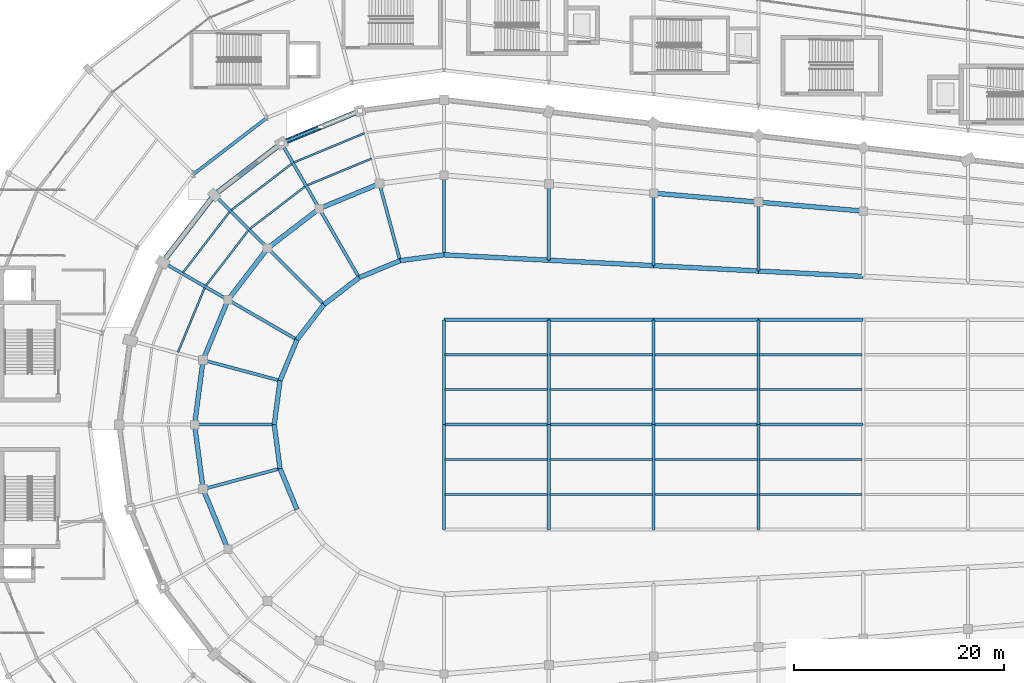
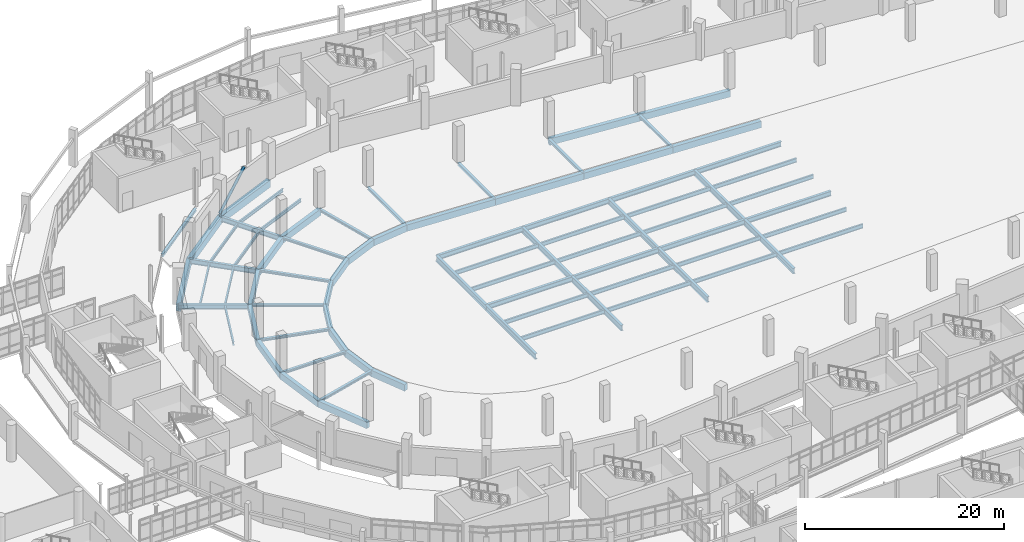
# One storey, part 54 of 122: 78 beams, 1 member.
"""IFC4 building model written with IfcOpenShell, lengths in metres."""

import ifcopenshell
import ifcopenshell.guid

model = None  # the IFC model being written
_history = None  # IfcOwnerHistory: only IFC2X3 demands one
_inside = {}  # id of a spatial element -> (the spatial element, [elements in it])
_under = {}  # id of a project, library or spatial element -> (it, [spatial elements below it])
_declared = {}  # id of a project -> (the project, [libraries it declares])
_typed = {}  # id of a type object -> (the type object, [elements of that type])
_made_of = {}  # id of a material, layer set ... -> (it, [elements and type objects made of it])


def new_model(schema):
    """Start an empty IFC model of exactly this schema.

    Asked for "IFC4X3", IfcOpenShell would pick the latest addendum, in which some entities
    have other attributes; the version numbers below select the first issue.
    IFC2X3 requires an IfcOwnerHistory on every rooted entity: one is made here for all.
    """
    global model, _history
    if schema == "IFC4X3":
        model = ifcopenshell.file(schema_version=(4, 3, 0, 0))
    else:
        model = ifcopenshell.file(schema=schema)
    _inside.clear()
    _under.clear()
    _declared.clear()
    _typed.clear()
    _made_of.clear()
    _history = None
    if model.schema == "IFC2X3":
        org = make("IfcOrganization", Name="unknown")
        user = make(
            "IfcPersonAndOrganization",
            ThePerson=make("IfcPerson", FamilyName="unknown"),
            TheOrganization=org,
        )
        app = make(
            "IfcApplication",
            ApplicationDeveloper=org,
            Version="unknown",
            ApplicationFullName="unknown",
            ApplicationIdentifier="unknown",
        )
        _history = make(
            "IfcOwnerHistory",
            OwningUser=user,
            OwningApplication=app,
            ChangeAction="ADDED",
            CreationDate=0,
        )
    return model


def make(cls, **values):
    """One entity of the class cls with the attributes given. An attribute that is None is left unset."""
    return model.create_entity(
        cls, **{name: value for name, value in values.items() if value is not None}
    )


def rooted(cls, **values):
    """An entity with a GlobalId (a new one), such as an element, a storey or a relation."""
    return make(cls, GlobalId=ifcopenshell.guid.new(), OwnerHistory=_history, **values)


def si_unit(unit_type, name, prefix=None):
    """IfcSIUnit, for example si_unit("LENGTHUNIT", "METRE", prefix="MILLI")."""
    return make("IfcSIUnit", UnitType=unit_type, Prefix=prefix, Name=name)


def assignment(units):
    """IfcUnitAssignment: the units of a project."""
    return None if units is None else make("IfcUnitAssignment", Units=units)


def point(xyz):
    """IfcCartesianPoint."""
    return None if xyz is None else make("IfcCartesianPoint", Coordinates=xyz)


def direction(xyz):
    """IfcDirection."""
    return None if xyz is None else make("IfcDirection", DirectionRatios=xyz)


def frame(location, z_axis=None, x_axis=None):
    """IfcAxis2Placement3D, a coordinate frame: its origin and axes. An axis left out is left unset."""
    return make(
        "IfcAxis2Placement3D",
        Location=point(location),
        Axis=direction(z_axis),
        RefDirection=direction(x_axis),
    )


def frame_2d(location, x_axis=None):
    """IfcAxis2Placement2D, a coordinate frame in the plane: its origin and x axis."""
    return make(
        "IfcAxis2Placement2D", Location=point(location), RefDirection=direction(x_axis)
    )


def origin():
    """The frame at (0, 0, 0) with its axes left unset."""
    return frame((0.0, 0.0, 0.0))


def origin_2d():
    """The frame at (0, 0) in the plane with its x axis left unset."""
    return frame_2d((0.0, 0.0))


def place(relative_to, where):
    """IfcLocalPlacement: puts the frame where relative to a parent placement (None: the world)."""
    return make(
        "IfcLocalPlacement", PlacementRelTo=relative_to, RelativePlacement=where
    )


def context(
    kind, dimensions, precision=None, world=None, true_north=None, identifier=None
):
    """IfcGeometricRepresentationContext, for example the 3D "Model" context."""
    return make(
        "IfcGeometricRepresentationContext",
        ContextIdentifier=identifier,
        ContextType=kind,
        CoordinateSpaceDimension=dimensions,
        Precision=precision,
        WorldCoordinateSystem=world,
        TrueNorth=true_north,
    )


def subcontext(parent, identifier, kind, view, scale=None):
    """IfcGeometricRepresentationSubContext, for example "Body" below "Model"."""
    return make(
        "IfcGeometricRepresentationSubContext",
        ContextIdentifier=identifier,
        ContextType=kind,
        ParentContext=parent,
        TargetScale=scale,
        TargetView=view,
    )


def project(units=None, contexts=None):
    """IfcProject with its units and contexts."""
    return rooted(
        "IfcProject",
        Name="project",
        RepresentationContexts=contexts,
        UnitsInContext=assignment(units),
    )


def spatial(cls, under=None, at=None, **own):
    """A site, building, storey or space (cls), placed at a placement, below another one or the project."""
    s = rooted(cls, ObjectPlacement=at, **own)
    if under is not None:
        _under.setdefault(under.id(), (under, []))[1].append(s)
    return s


def profile(cls, at=None, kind="AREA", **sizes):
    """A parametric profile (cls). Its sizes go by their IFC names, for example OverallWidth=200.0."""
    return make(cls, ProfileType=kind, Position=at, **sizes)


def rectangle(**sizes):
    """IfcRectangleProfileDef."""
    return profile("IfcRectangleProfileDef", **sizes)


def hollow_circle(**sizes):
    """IfcCircleHollowProfileDef."""
    return profile("IfcCircleHollowProfileDef", **sizes)


def i_section(**sizes):
    """IfcIShapeProfileDef."""
    return profile("IfcIShapeProfileDef", **sizes)


def extrude(swept, where, along, depth):
    """IfcExtrudedAreaSolid: the profile swept, set in the frame where, extruded along a direction by depth."""
    return make(
        "IfcExtrudedAreaSolid",
        SweptArea=swept,
        Position=where,
        ExtrudedDirection=direction(along),
        Depth=depth,
    )


def shape(context_of_items, identifier, shape_type, items):
    """IfcShapeRepresentation: the items that make up one representation, for example the "Body"."""
    return make(
        "IfcShapeRepresentation",
        ContextOfItems=context_of_items,
        RepresentationIdentifier=identifier,
        RepresentationType=shape_type,
        Items=items,
    )


def material(Name=None, Category=None):
    """IfcMaterial."""
    return make("IfcMaterial", Name=Name, Category=Category)


def material_profile(
    of_material, cross_section, Name=None, Category=None, Priority=None
):
    """IfcMaterialProfile: a cross section and its material."""
    return make(
        "IfcMaterialProfile",
        Name=Name,
        Material=of_material,
        Profile=cross_section,
        Priority=Priority,
        Category=Category,
    )


def profile_set(profiles, Name=None, composite=None):
    """IfcMaterialProfileSet."""
    return make(
        "IfcMaterialProfileSet",
        Name=Name,
        MaterialProfiles=profiles,
        CompositeProfile=composite,
    )


def made_of(thing, what):
    """Note that an element or type object is made of a material, layer set ...; save() writes the relation."""
    if what is not None:
        _made_of.setdefault(what.id(), (what, []))[1].append(thing)
    return thing


def type_object(cls, material=None, **own):
    """A type object (cls), such as IfcWallType, which elements share."""
    return made_of(rooted(cls, **own), material)


def element(
    cls,
    number,
    at=None,
    inside=None,
    cuts=None,
    type_object=None,
    material=None,
    context=None,
    identifier="Body",
    shape_type=None,
    held_by="IfcProductDefinitionShape",
    body=None,
    shapes=None,
    **own,
):
    """One element of the class cls, such as IfcWall. Its Tag is "e" and its number.

    at: its placement. inside: the storey or other place that contains it. cuts: it is an
    opening in that element (IfcRelVoidsElement). A single representation is given by context,
    identifier, shape_type and body (its items); several are given by shapes. held_by: the class
    of the entity that holds the representations. save() writes the other relations.
    """
    e = rooted(cls, Tag="e%d" % number, ObjectPlacement=at, **own)
    if body is not None:
        shapes = [shape(context, identifier, shape_type, body)]
    if shapes is not None:
        e.Representation = make(held_by, Representations=shapes)
    if inside is not None:
        _inside.setdefault(inside.id(), (inside, []))[1].append(e)
    if cuts is not None:
        rooted(
            "IfcRelVoidsElement", RelatingBuildingElement=cuts, RelatedOpeningElement=e
        )
    if type_object is not None:
        _typed.setdefault(type_object.id(), (type_object, []))[1].append(e)
    return made_of(e, material)


def aggregate(whole, parts):
    """IfcRelAggregates: a whole, such as a stair, and the parts it consists of."""
    return rooted("IfcRelAggregates", RelatingObject=whole, RelatedObjects=parts)


def save(model, path):
    """Write the relations noted so far, then the file.

    IfcRelAggregates (storeys below a building ...), IfcRelContainedInSpatialStructure (elements
    in a storey), IfcRelDefinesByType, IfcRelAssociatesMaterial and IfcRelDeclares: one each for
    every whole, place, type object, material and project.
    """
    for whole, parts in _under.values():
        aggregate(whole, parts)
    for where, things in _inside.values():
        rooted(
            "IfcRelContainedInSpatialStructure",
            RelatedElements=things,
            RelatingStructure=where,
        )
    for kind, things in _typed.values():
        rooted("IfcRelDefinesByType", RelatedObjects=things, RelatingType=kind)
    for what, things in _made_of.values():
        rooted("IfcRelAssociatesMaterial", RelatedObjects=things, RelatingMaterial=what)
    for by, libraries in _declared.values():
        rooted("IfcRelDeclares", RelatingContext=by, RelatedDefinitions=libraries)
    model.write(path)


model = new_model("IFC4")

# Units and contexts
model_context = context("Model", 3, precision=1e-05, world=origin(), true_north=direction((0.0, 1.0)))
body_context = subcontext(model_context, "Body", "Model", "MODEL_VIEW")
ifc_project = project(units=[si_unit("LENGTHUNIT", "METRE"), si_unit("AREAUNIT", "SQUARE_METRE"), si_unit("VOLUMEUNIT", "CUBIC_METRE"), si_unit("PLANEANGLEUNIT", "RADIAN"), si_unit("MASSUNIT", "GRAM", prefix="KILO")], contexts=[model_context])

# Site, building, storey
site_placement = place(None, origin())
site = spatial("IfcSite", under=ifc_project, at=site_placement, CompositionType="ELEMENT")
building_placement = place(site_placement, origin())
building = spatial("IfcBuilding", under=site, at=building_placement, Name="Sohan Crest Arena", CompositionType="ELEMENT")
storey_placement = place(building_placement, origin())
storey = spatial("IfcBuildingStorey", under=building, at=storey_placement, Name="L00", CompositionType="ELEMENT", Elevation=0.0)

# Beams
ifc_material_1 = material(Name="Steel S355", Category="steel")
ifc_material_profile_1 = material_profile(ifc_material_1, i_section(OverallWidth=0.179931640625, OverallDepth=0.39990234375, WebThickness=0.008544921875, FlangeThickness=0.013427734375, at=origin_2d()), Name="IPE 400")
ifc_profile_set_1 = profile_set([ifc_material_profile_1], Name="Steel S355")
beam_type_1 = type_object("IfcBeamType", Name="STR-BM-B03", PredefinedType="JOIST", material=ifc_profile_set_1)
beam_1_placement = place(storey_placement, frame((91.0859375, 103.381103515625, -0.449951171875), z_axis=(-0.923867831396, -0.382711680136, 0.0), x_axis=(0.382711680136, -0.923867831396, 0.0)))
element("IfcBeam", 1, at=beam_1_placement, inside=storey, type_object=beam_type_1, Name="Structural beam J-L00-0084", PredefinedType="JOIST", context=body_context, shape_type="SweptSolid", body=[
    extrude(i_section(OverallWidth=0.179931640625, OverallDepth=0.39990234375, WebThickness=0.008544921875, FlangeThickness=0.013427734375, at=origin_2d()), origin(), (0.0, 0.0, 1.0), 6.650390625),
])
beam_2_placement = place(storey_placement, frame((90.43408203125, 105.81591796875, -0.449951171875), z_axis=(-0.923831158032, -0.382800197818, 0.0), x_axis=(0.382800197818, -0.923831158032, 0.0)))
element("IfcBeam", 2, at=beam_2_placement, inside=storey, type_object=beam_type_1, Name="Structural beam J-L00-0085", PredefinedType="JOIST", context=body_context, shape_type="SweptSolid", body=[
    extrude(i_section(OverallWidth=0.179931640625, OverallDepth=0.39990234375, WebThickness=0.008544921875, FlangeThickness=0.013427734375, at=origin_2d()), origin(), (0.0, 0.0, 1.0), 7.308837890625),
])
beam_3_placement = place(storey_placement, frame((84.7529296875, 100.72705078125, -0.449951171875), z_axis=(-0.793353438114, -0.608761301523, 0.0), x_axis=(0.608761301523, -0.793353438114, 0.0)))
element("IfcBeam", 3, at=beam_3_placement, inside=storey, type_object=beam_type_1, Name="Structural beam J-L00-0106", PredefinedType="JOIST", context=body_context, shape_type="SweptSolid", body=[
    extrude(i_section(OverallWidth=0.179931640625, OverallDepth=0.39990234375, WebThickness=0.008544921875, FlangeThickness=0.013427734375, at=origin_2d()), origin(), (0.0, 0.0, 1.0), 6.6513671875),
])
beam_4_placement = place(storey_placement, frame((83.492919921875, 102.908935546875, -0.449951171875), z_axis=(-0.793394486436, -0.608707802556, 0.0), x_axis=(0.608707802556, -0.793394486436, 0.0)))
element("IfcBeam", 4, at=beam_4_placement, inside=storey, type_object=beam_type_1, Name="Structural beam J-L00-0107", PredefinedType="JOIST", context=body_context, shape_type="SweptSolid", body=[
    extrude(i_section(OverallWidth=0.179931640625, OverallDepth=0.39990234375, WebThickness=0.008544921875, FlangeThickness=0.013427734375, at=origin_2d()), origin(), (0.0, 0.0, 1.0), 7.308837890625),
])
beam_5_placement = place(storey_placement, frame((79.322021484375, 96.52392578125, -0.449951171875), z_axis=(-0.608761301523, -0.793353438114, 0.0), x_axis=(0.793353438114, -0.608761301523, 0.0)))
element("IfcBeam", 5, at=beam_5_placement, inside=storey, type_object=beam_type_1, Name="Structural beam J-L00-0128", PredefinedType="JOIST", context=body_context, shape_type="SweptSolid", body=[
    extrude(i_section(OverallWidth=0.179931640625, OverallDepth=0.39990234375, WebThickness=0.008544921875, FlangeThickness=0.013427734375, at=origin_2d()), origin(), (0.0, 0.0, 1.0), 6.6513671875),
])
beam_6_placement = place(storey_placement, frame((77.5400390625, 98.305908203125, -0.449951171875), z_axis=(-0.608707802556, -0.793394486436, 0.0), x_axis=(0.793394486436, -0.608707802556, 0.0)))
element("IfcBeam", 6, at=beam_6_placement, inside=storey, type_object=beam_type_1, Name="Structural beam J-L00-0129", PredefinedType="JOIST", context=body_context, shape_type="SweptSolid", body=[
    extrude(i_section(OverallWidth=0.179931640625, OverallDepth=0.39990234375, WebThickness=0.008544921875, FlangeThickness=0.013427734375, at=origin_2d()), origin(), (0.0, 0.0, 1.0), 7.308837890625),
])
beam_7_placement = place(storey_placement, frame((75.1640625, 91.05810546875, -0.449951171875), z_axis=(-0.382711680136, -0.923867831396, 0.0), x_axis=(0.923867831396, -0.382711680136, 0.0)))
element("IfcBeam", 7, at=beam_7_placement, inside=storey, type_object=beam_type_1, Name="Structural beam J-L00-0150", PredefinedType="JOIST", context=body_context, shape_type="SweptSolid", body=[
    extrude(i_section(OverallWidth=0.179931640625, OverallDepth=0.39990234375, WebThickness=0.008544921875, FlangeThickness=0.013427734375, at=origin_2d()), origin(), (0.0, 0.0, 1.0), 6.650390625),
])
ifc_material_profile_2 = material_profile(ifc_material_1, i_section(OverallWidth=0.199951171875, OverallDepth=0.5, WebThickness=0.01025390625, FlangeThickness=0.01611328125, at=origin_2d()), Name="IPE 500")
ifc_profile_set_2 = profile_set([ifc_material_profile_2], Name="Steel S355")
beam_type_2 = type_object("IfcBeamType", Name="STR-BM-B05", PredefinedType="JOIST", material=ifc_profile_set_2)
for number, where, z_axis, x_axis, name in (
    (8, (98.110107421875, 71.3330078125, -0.550048828125), (1.0, 0.0, 0.0), (0.0, 1.0, 0.0), "Structural beam J-L00-0033"),
    (9, (98.110107421875, 74.6669921875, -0.550048828125), (1.0, 0.0, 0.0), (0.0, 1.0, 0.0), "Structural beam J-L00-0034"),
    (10, (98.110107421875, 81.3330078125, -0.550048828125), (1.0, 0.0, 0.0), (0.0, 1.0, 0.0), "Structural beam J-L00-0035"),
    (11, (98.110107421875, 84.6669921875, -0.550048828125), (1.0, 0.0, 0.0), (0.0, 1.0, 0.0), "Structural beam J-L00-0036"),
    (12, (108.110107421875, 71.3330078125, -0.550048828125), (1.0, 0.0, 0.0), (0.0, 1.0, 0.0), "Structural beam J-L00-0037"),
    (13, (108.110107421875, 74.6669921875, -0.550048828125), (1.0, 0.0, 0.0), (0.0, 1.0, 0.0), "Structural beam J-L00-0038"),
    (14, (108.110107421875, 81.3330078125, -0.550048828125), (1.0, 0.0, 0.0), (0.0, 1.0, 0.0), "Structural beam J-L00-0039"),
    (15, (108.110107421875, 84.6669921875, -0.550048828125), (1.0, 0.0, 0.0), (0.0, 1.0, 0.0), "Structural beam J-L00-0040"),
    (16, (118.110107421875, 71.3330078125, -0.550048828125), (1.0, 0.0, 0.0), (0.0, 1.0, 0.0), "Structural beam J-L00-0041"),
    (17, (118.110107421875, 74.6669921875, -0.550048828125), (1.0, 0.0, 0.0), (0.0, 1.0, 0.0), "Structural beam J-L00-0042"),
    (18, (118.110107421875, 81.3330078125, -0.550048828125), (1.0, 0.0, 0.0), (0.0, 1.0, 0.0), "Structural beam J-L00-0043"),
    (19, (118.110107421875, 84.6669921875, -0.550048828125), (1.0, 0.0, 0.0), (0.0, 1.0, 0.0), "Structural beam J-L00-0044"),
    (20, (128.110107421875, 71.3330078125, -0.550048828125), (1.0, 0.0, 0.0), (0.0, 1.0, 0.0), "Structural beam J-L00-0045"),
    (21, (128.110107421875, 74.6669921875, -0.550048828125), (1.0, 0.0, 0.0), (0.0, 1.0, 0.0), "Structural beam J-L00-0046"),
    (22, (128.110107421875, 81.3330078125, -0.550048828125), (1.0, 0.0, 0.0), (0.0, 1.0, 0.0), "Structural beam J-L00-0047"),
    (23, (128.110107421875, 84.6669921875, -0.550048828125), (1.0, 0.0, 0.0), (0.0, 1.0, 0.0), "Structural beam J-L00-0048"),
):
    element("IfcBeam", number, at=place(storey_placement, frame(where, z_axis=z_axis, x_axis=x_axis)), inside=storey, type_object=beam_type_2, Name=name, PredefinedType="JOIST", context=body_context, shape_type="SweptSolid", body=[
        extrude(i_section(OverallWidth=0.199951171875, OverallDepth=0.5, WebThickness=0.01025390625, FlangeThickness=0.01611328125, at=origin_2d()), origin(), (0.0, 0.0, 1.0), 9.77978515625),
    ])
ifc_material_profile_3 = material_profile(ifc_material_1, i_section(OverallWidth=0.300048828125, OverallDepth=0.590087890625, WebThickness=0.012939453125, FlangeThickness=0.02490234375, at=origin_2d()), Name="HEA 600")
ifc_profile_set_3 = profile_set([ifc_material_profile_3], Name="Steel S355")
beam_type_3 = type_object("IfcBeamType", Name="STR-BM-B11", PredefinedType="BEAM", material=ifc_profile_set_3)
beam_8_placement = place(storey_placement, frame((86.10009765625, 98.611083984375, -0.544921875), z_axis=(-0.499982693035, 0.866035395735, 0.0), x_axis=(-0.866035395735, -0.499982693035, 0.0)))
element("IfcBeam", 24, at=beam_8_placement, inside=storey, type_object=beam_type_3, Name="Structural beam G-L00-0105", PredefinedType="BEAM", context=body_context, shape_type="SweptSolid", body=[
    extrude(i_section(OverallWidth=0.300048828125, OverallDepth=0.590087890625, WebThickness=0.012939453125, FlangeThickness=0.02490234375, at=origin_2d()), origin(), (0.0, 0.0, 1.0), 7.200439453125),
])
beam_9_placement = place(storey_placement, frame((81.1708984375, 94.8291015625, -0.544921875), z_axis=(-0.707106781187, 0.707106781187, 0.0), x_axis=(-0.707106781187, -0.707106781187, 0.0)))
element("IfcBeam", 25, at=beam_9_placement, inside=storey, type_object=beam_type_3, Name="Structural beam G-L00-0127", PredefinedType="BEAM", context=body_context, shape_type="SweptSolid", body=[
    extrude(i_section(OverallWidth=0.300048828125, OverallDepth=0.590087890625, WebThickness=0.012939453125, FlangeThickness=0.02490234375, at=origin_2d()), origin(), (0.0, 0.0, 1.0), 7.199462890625),
])
beam_10_placement = place(storey_placement, frame((77.388916015625, 89.89990234375, -0.544921875), z_axis=(-0.866035395735, 0.499982693035, 0.0), x_axis=(-0.499982693035, -0.866035395735, 0.0)))
element("IfcBeam", 26, at=beam_10_placement, inside=storey, type_object=beam_type_3, Name="Structural beam G-L00-0149", PredefinedType="BEAM", context=body_context, shape_type="SweptSolid", body=[
    extrude(i_section(OverallWidth=0.300048828125, OverallDepth=0.590087890625, WebThickness=0.012939453125, FlangeThickness=0.02490234375, at=origin_2d()), origin(), (0.0, 0.0, 1.0), 7.200439453125),
])
ifc_material_profile_4 = material_profile(ifc_material_1, i_section(OverallWidth=0.300048828125, OverallDepth=0.300048828125, WebThickness=0.010986328125, FlangeThickness=0.01904296875, at=origin_2d()), Name="HEB 300")
ifc_profile_set_4 = profile_set([ifc_material_profile_4], Name="Steel S355")
beam_type_4 = type_object("IfcBeamType", Name="STR-BM-B12", PredefinedType="BEAM", material=ifc_profile_set_4)
beam_11_placement = place(storey_placement, frame((98.0, 94.199951171875, -0.39990234375), z_axis=(0.0, 1.0, 0.0), x_axis=(-1.0, 0.0, 0.0)))
element("IfcBeam", 27, at=beam_11_placement, inside=storey, type_object=beam_type_4, Name="Structural beam G-L00-0058", PredefinedType="BEAM", context=body_context, shape_type="SweptSolid", body=[
    extrude(i_section(OverallWidth=0.300048828125, OverallDepth=0.300048828125, WebThickness=0.010986328125, FlangeThickness=0.01904296875, at=origin_2d()), origin(), (0.0, 0.0, 1.0), 7.60009765625),
])
beam_12_placement = place(storey_placement, frame((93.806884765625, 93.64794921875, -0.39990234375), z_axis=(-0.258790143963, 0.965933569863, 0.0), x_axis=(-0.965933569863, -0.258790143963, 0.0)))
element("IfcBeam", 28, at=beam_12_placement, inside=storey, type_object=beam_type_4, Name="Structural beam G-L00-0080", PredefinedType="BEAM", context=body_context, shape_type="SweptSolid", body=[
    extrude(i_section(OverallWidth=0.300048828125, OverallDepth=0.300048828125, WebThickness=0.010986328125, FlangeThickness=0.01904296875, at=origin_2d()), origin(), (0.0, 0.0, 1.0), 7.599853515625),
])
beam_13_placement = place(storey_placement, frame((89.89990234375, 92.030029296875, -0.39990234375), z_axis=(-0.500022797313, 0.86601224135, 0.0), x_axis=(-0.86601224135, -0.500022797313, 0.0)))
element("IfcBeam", 29, at=beam_13_placement, inside=storey, type_object=beam_type_4, Name="Structural beam G-L00-0102", PredefinedType="BEAM", context=body_context, shape_type="SweptSolid", body=[
    extrude(i_section(OverallWidth=0.300048828125, OverallDepth=0.300048828125, WebThickness=0.010986328125, FlangeThickness=0.01904296875, at=origin_2d()), origin(), (0.0, 0.0, 1.0), 7.599365234375),
])
beam_14_placement = place(storey_placement, frame((86.544921875, 89.455078125, -0.39990234375), z_axis=(-0.707106781187, 0.707106781187, 0.0), x_axis=(-0.707106781187, -0.707106781187, 0.0)))
element("IfcBeam", 30, at=beam_14_placement, inside=storey, type_object=beam_type_4, Name="Structural beam G-L00-0124", PredefinedType="BEAM", context=body_context, shape_type="SweptSolid", body=[
    extrude(i_section(OverallWidth=0.300048828125, OverallDepth=0.300048828125, WebThickness=0.010986328125, FlangeThickness=0.01904296875, at=origin_2d()), origin(), (0.0, 0.0, 1.0), 7.60009765625),
])
beam_15_placement = place(storey_placement, frame((83.969970703125, 86.10009765625, -0.39990234375), z_axis=(-0.86601224135, 0.500022797313, 0.0), x_axis=(-0.500022797313, -0.86601224135, 0.0)))
element("IfcBeam", 31, at=beam_15_placement, inside=storey, type_object=beam_type_4, Name="Structural beam G-L00-0146", PredefinedType="BEAM", context=body_context, shape_type="SweptSolid", body=[
    extrude(i_section(OverallWidth=0.300048828125, OverallDepth=0.300048828125, WebThickness=0.010986328125, FlangeThickness=0.01904296875, at=origin_2d()), origin(), (0.0, 0.0, 1.0), 7.599365234375),
])
beam_16_placement = place(storey_placement, frame((82.35205078125, 82.193115234375, -0.39990234375), z_axis=(-0.965933569863, 0.258790143963, 0.0), x_axis=(-0.258790143963, -0.965933569863, 0.0)))
element("IfcBeam", 32, at=beam_16_placement, inside=storey, type_object=beam_type_4, Name="Structural beam G-L00-0168", PredefinedType="BEAM", context=body_context, shape_type="SweptSolid", body=[
    extrude(i_section(OverallWidth=0.300048828125, OverallDepth=0.300048828125, WebThickness=0.010986328125, FlangeThickness=0.01904296875, at=origin_2d()), origin(), (0.0, 0.0, 1.0), 7.599853515625),
])
beam_17_placement = place(storey_placement, frame((81.800048828125, 78.0, -0.39990234375), z_axis=(-1.0, 0.0, 0.0), x_axis=(0.0, -1.0, 0.0)))
element("IfcBeam", 33, at=beam_17_placement, inside=storey, type_object=beam_type_4, Name="Structural beam G-L00-0190", PredefinedType="BEAM", context=body_context, shape_type="SweptSolid", body=[
    extrude(i_section(OverallWidth=0.300048828125, OverallDepth=0.300048828125, WebThickness=0.010986328125, FlangeThickness=0.01904296875, at=origin_2d()), origin(), (0.0, 0.0, 1.0), 7.60009765625),
])
beam_18_placement = place(storey_placement, frame((82.35205078125, 73.806884765625, -0.39990234375), z_axis=(-0.965933569863, -0.258790143963, 0.0), x_axis=(0.258790143963, -0.965933569863, 0.0)))
element("IfcBeam", 34, at=beam_18_placement, inside=storey, type_object=beam_type_4, Name="Structural beam G-L00-0212", PredefinedType="BEAM", context=body_context, shape_type="SweptSolid", body=[
    extrude(i_section(OverallWidth=0.300048828125, OverallDepth=0.300048828125, WebThickness=0.010986328125, FlangeThickness=0.01904296875, at=origin_2d()), origin(), (0.0, 0.0, 1.0), 7.599853515625),
])
beam_19_placement = place(storey_placement, frame((128.0, 92.656982421875, -0.39990234375), z_axis=(0.0, 1.0, 0.0), x_axis=(-1.0, 0.0, 0.0)))
element("IfcBeam", 35, at=beam_19_placement, inside=storey, type_object=beam_type_4, Name="Structural beam G-L00-0746", PredefinedType="BEAM", context=body_context, shape_type="SweptSolid", body=[
    extrude(i_section(OverallWidth=0.300048828125, OverallDepth=0.300048828125, WebThickness=0.010986328125, FlangeThickness=0.01904296875, at=origin_2d()), origin(), (0.0, 0.0, 1.0), 6.572021484375),
])
beam_20_placement = place(storey_placement, frame((118.0, 93.1708984375, -0.39990234375), z_axis=(0.0, 1.0, 0.0), x_axis=(-1.0, 0.0, 0.0)))
element("IfcBeam", 36, at=beam_20_placement, inside=storey, type_object=beam_type_4, Name="Structural beam G-L00-0768", PredefinedType="BEAM", context=body_context, shape_type="SweptSolid", body=[
    extrude(i_section(OverallWidth=0.300048828125, OverallDepth=0.300048828125, WebThickness=0.010986328125, FlangeThickness=0.01904296875, at=origin_2d()), origin(), (0.0, 0.0, 1.0), 6.9150390625),
])
beam_21_placement = place(storey_placement, frame((108.0, 93.68603515625, -0.39990234375), z_axis=(0.0, 1.0, 0.0), x_axis=(-1.0, 0.0, 0.0)))
element("IfcBeam", 37, at=beam_21_placement, inside=storey, type_object=beam_type_4, Name="Structural beam G-L00-0790", PredefinedType="BEAM", context=body_context, shape_type="SweptSolid", body=[
    extrude(i_section(OverallWidth=0.300048828125, OverallDepth=0.300048828125, WebThickness=0.010986328125, FlangeThickness=0.01904296875, at=origin_2d()), origin(), (0.0, 0.0, 1.0), 7.257080078125),
])
beam_22_placement = place(storey_placement, frame((81.10009765625, 107.27197265625, -0.425048828125), z_axis=(-0.793310569192, -0.608817165336, 0.0), x_axis=(0.608817165336, -0.793310569192, 0.0)))
element("IfcBeam", 38, at=beam_22_placement, inside=storey, type_object=beam_type_4, Name="Structural beam G-L00-0913", PredefinedType="BEAM", context=body_context, shape_type="SweptSolid", body=[
    extrude(i_section(OverallWidth=0.300048828125, OverallDepth=0.300048828125, WebThickness=0.010986328125, FlangeThickness=0.01904296875, at=origin_2d()), origin(), (0.0, 0.0, 1.0), 8.82373046875),
])
ifc_material_profile_5 = material_profile(ifc_material_1, i_section(OverallWidth=0.300048828125, OverallDepth=0.60009765625, WebThickness=0.015380859375, FlangeThickness=0.030029296875, at=origin_2d()), Name="HEB 600")
ifc_profile_set_5 = profile_set([ifc_material_profile_5], Name="Steel S355")
beam_type_5 = type_object("IfcBeamType", Name="STR-BM-B15", PredefinedType="BEAM", material=ifc_profile_set_5)
for number, where, z_axis, x_axis, name in (
    (39, (98.0, 78.0, -0.60009765625), (1.0, 0.0, 0.0), (0.0, 1.0, 0.0), "Structural beam G-L00-0021"),
    (40, (108.0, 78.0, -0.60009765625), (1.0, 0.0, 0.0), (0.0, 1.0, 0.0), "Structural beam G-L00-0022"),
    (41, (118.0, 78.0, -0.60009765625), (1.0, 0.0, 0.0), (0.0, 1.0, 0.0), "Structural beam G-L00-0023"),
    (42, (128.0, 78.0, -0.60009765625), (1.0, 0.0, 0.0), (0.0, 1.0, 0.0), "Structural beam G-L00-0024"),
    (43, (98.0, 88.0, -0.60009765625), (1.0, 0.0, 0.0), (0.0, 1.0, 0.0), "Structural beam G-L00-0027"),
    (44, (108.0, 88.0, -0.60009765625), (1.0, 0.0, 0.0), (0.0, 1.0, 0.0), "Structural beam G-L00-0028"),
    (45, (118.0, 88.0, -0.60009765625), (1.0, 0.0, 0.0), (0.0, 1.0, 0.0), "Structural beam G-L00-0029"),
    (46, (128.0, 88.0, -0.60009765625), (1.0, 0.0, 0.0), (0.0, 1.0, 0.0), "Structural beam G-L00-0030"),
):
    element("IfcBeam", number, at=place(storey_placement, frame(where, z_axis=z_axis, x_axis=x_axis)), inside=storey, type_object=beam_type_5, Name=name, PredefinedType="BEAM", context=body_context, shape_type="SweptSolid", body=[
        extrude(i_section(OverallWidth=0.300048828125, OverallDepth=0.60009765625, WebThickness=0.015380859375, FlangeThickness=0.030029296875, at=origin_2d()), origin(), (0.0, 0.0, 1.0), 10.0),
    ])
ifc_material_profile_6 = material_profile(ifc_material_1, i_section(OverallWidth=0.300048828125, OverallDepth=0.699951171875, WebThickness=0.01708984375, FlangeThickness=0.031982421875, at=origin_2d()), Name="HEB 700")
ifc_profile_set_6 = profile_set([ifc_material_profile_6], Name="Steel S355")
beam_type_6 = type_object("IfcBeamType", Name="STR-BM-B16", PredefinedType="BEAM", material=ifc_profile_set_6)
for number, where, z_axis, x_axis, name in (
    (47, (98.0, 68.0, -0.64990234375), (0.0, 1.0, 0.0), (-1.0, 0.0, 0.0), "Structural beam G-L00-0001"),
    (48, (98.0, 78.0, -0.64990234375), (0.0, 1.0, 0.0), (-1.0, 0.0, 0.0), "Structural beam G-L00-0002"),
    (49, (108.0, 68.0, -0.64990234375), (0.0, 1.0, 0.0), (-1.0, 0.0, 0.0), "Structural beam G-L00-0003"),
    (50, (108.0, 78.0, -0.64990234375), (0.0, 1.0, 0.0), (-1.0, 0.0, 0.0), "Structural beam G-L00-0004"),
    (51, (118.0, 68.0, -0.64990234375), (0.0, 1.0, 0.0), (-1.0, 0.0, 0.0), "Structural beam G-L00-0005"),
    (52, (118.0, 78.0, -0.64990234375), (0.0, 1.0, 0.0), (-1.0, 0.0, 0.0), "Structural beam G-L00-0006"),
    (53, (128.0, 68.0, -0.64990234375), (0.0, 1.0, 0.0), (-1.0, 0.0, 0.0), "Structural beam G-L00-0007"),
    (54, (128.0, 78.0, -0.64990234375), (0.0, 1.0, 0.0), (-1.0, 0.0, 0.0), "Structural beam G-L00-0008"),
):
    element("IfcBeam", number, at=place(storey_placement, frame(where, z_axis=z_axis, x_axis=x_axis)), inside=storey, type_object=beam_type_6, Name=name, PredefinedType="BEAM", context=body_context, shape_type="SweptSolid", body=[
        extrude(i_section(OverallWidth=0.300048828125, OverallDepth=0.699951171875, WebThickness=0.01708984375, FlangeThickness=0.031982421875, at=origin_2d()), origin(), (0.0, 0.0, 1.0), 10.0),
    ])
ifc_material_2 = material(Name="Concrete C40/50", Category="concrete")
ifc_material_profile_7 = material_profile(ifc_material_2, rectangle(XDim=0.449951171875, YDim=0.800048828125, at=origin_2d()), Name="RC-BM 450x800")
ifc_profile_set_7 = profile_set([ifc_material_profile_7], Name="Concrete C40/50")
beam_type_7 = type_object("IfcBeamType", Name="STR-BM-TB02", PredefinedType="BEAM", material=ifc_profile_set_7)
beam_23_placement = place(storey_placement, frame((98.0, 94.199951171875, -0.64990234375), z_axis=(-0.991445844782, -0.130518722274, 0.0), x_axis=(0.130518722274, -0.991445844782, 0.0)))
element("IfcBeam", 55, at=beam_23_placement, inside=storey, type_object=beam_type_7, Name="Structural beam TB-L00-0057", PredefinedType="BEAM", context=body_context, shape_type="SweptSolid", body=[
    extrude(rectangle(XDim=0.449951171875, YDim=0.800048828125, at=origin_2d()), origin(), (0.0, 0.0, 1.0), 4.229248046875),
])
beam_24_placement = place(storey_placement, frame((93.806884765625, 93.64794921875, -0.64990234375), z_axis=(-0.923913405382, -0.382601645783, 0.0), x_axis=(0.382601645783, -0.923913405382, 0.0)))
element("IfcBeam", 56, at=beam_24_placement, inside=storey, type_object=beam_type_7, Name="Structural beam TB-L00-0079", PredefinedType="BEAM", context=body_context, shape_type="SweptSolid", body=[
    extrude(rectangle(XDim=0.449951171875, YDim=0.800048828125, at=origin_2d()), origin(), (0.0, 0.0, 1.0), 4.228759765625),
])
beam_25_placement = place(storey_placement, frame((91.840087890625, 100.989013671875, -0.64990234375), z_axis=(-0.92385973493, -0.382731224457, 0.0), x_axis=(0.382731224457, -0.92385973493, 0.0)))
element("IfcBeam", 57, at=beam_25_placement, inside=storey, type_object=beam_type_7, Name="Structural beam TB-L00-0081", PredefinedType="BEAM", context=body_context, shape_type="SweptSolid", body=[
    extrude(rectangle(XDim=0.449951171875, YDim=0.800048828125, at=origin_2d()), origin(), (0.0, 0.0, 1.0), 6.213134765625),
])
beam_26_placement = place(storey_placement, frame((89.89990234375, 92.030029296875, -0.64990234375), z_axis=(-0.793286631574, -0.60884835564, 0.0), x_axis=(0.60884835564, -0.793286631574, 0.0)))
element("IfcBeam", 58, at=beam_26_placement, inside=storey, type_object=beam_type_7, Name="Structural beam TB-L00-0101", PredefinedType="BEAM", context=body_context, shape_type="SweptSolid", body=[
    extrude(rectangle(XDim=0.449951171875, YDim=0.800048828125, at=origin_2d()), origin(), (0.0, 0.0, 1.0), 4.229248046875),
])
beam_27_placement = place(storey_placement, frame((86.10009765625, 98.611083984375, -0.64990234375), z_axis=(-0.793378616602, -0.608728486864, 0.0), x_axis=(0.608728486864, -0.793378616602, 0.0)))
element("IfcBeam", 59, at=beam_27_placement, inside=storey, type_object=beam_type_7, Name="Structural beam TB-L00-0103", PredefinedType="BEAM", context=body_context, shape_type="SweptSolid", body=[
    extrude(rectangle(XDim=0.449951171875, YDim=0.800048828125, at=origin_2d()), origin(), (0.0, 0.0, 1.0), 6.212890625),
])
beam_28_placement = place(storey_placement, frame((86.544921875, 89.455078125, -0.64990234375), z_axis=(-0.60884835564, -0.793286631574, 0.0), x_axis=(0.793286631574, -0.60884835564, 0.0)))
element("IfcBeam", 60, at=beam_28_placement, inside=storey, type_object=beam_type_7, Name="Structural beam TB-L00-0123", PredefinedType="BEAM", context=body_context, shape_type="SweptSolid", body=[
    extrude(rectangle(XDim=0.449951171875, YDim=0.800048828125, at=origin_2d()), origin(), (0.0, 0.0, 1.0), 4.229248046875),
])
beam_29_placement = place(storey_placement, frame((81.1708984375, 94.8291015625, -0.64990234375), z_axis=(-0.608728486864, -0.793378616602, 0.0), x_axis=(0.793378616602, -0.608728486864, 0.0)))
element("IfcBeam", 61, at=beam_29_placement, inside=storey, type_object=beam_type_7, Name="Structural beam TB-L00-0125", PredefinedType="BEAM", context=body_context, shape_type="SweptSolid", body=[
    extrude(rectangle(XDim=0.449951171875, YDim=0.800048828125, at=origin_2d()), origin(), (0.0, 0.0, 1.0), 6.212890625),
])
beam_30_placement = place(storey_placement, frame((83.969970703125, 86.10009765625, -0.64990234375), z_axis=(-0.382601645783, -0.923913405382, 0.0), x_axis=(0.923913405382, -0.382601645783, 0.0)))
element("IfcBeam", 62, at=beam_30_placement, inside=storey, type_object=beam_type_7, Name="Structural beam TB-L00-0145", PredefinedType="BEAM", context=body_context, shape_type="SweptSolid", body=[
    extrude(rectangle(XDim=0.449951171875, YDim=0.800048828125, at=origin_2d()), origin(), (0.0, 0.0, 1.0), 4.228759765625),
])
beam_31_placement = place(storey_placement, frame((77.388916015625, 89.89990234375, -0.64990234375), z_axis=(-0.382731224457, -0.92385973493, 0.0), x_axis=(0.92385973493, -0.382731224457, 0.0)))
element("IfcBeam", 63, at=beam_31_placement, inside=storey, type_object=beam_type_7, Name="Structural beam TB-L00-0147", PredefinedType="BEAM", context=body_context, shape_type="SweptSolid", body=[
    extrude(rectangle(XDim=0.449951171875, YDim=0.800048828125, at=origin_2d()), origin(), (0.0, 0.0, 1.0), 6.213134765625),
])
beam_32_placement = place(storey_placement, frame((82.35205078125, 82.193115234375, -0.64990234375), z_axis=(-0.130518722274, -0.991445844782, 0.0), x_axis=(0.991445844782, -0.130518722274, 0.0)))
element("IfcBeam", 64, at=beam_32_placement, inside=storey, type_object=beam_type_7, Name="Structural beam TB-L00-0167", PredefinedType="BEAM", context=body_context, shape_type="SweptSolid", body=[
    extrude(rectangle(XDim=0.449951171875, YDim=0.800048828125, at=origin_2d()), origin(), (0.0, 0.0, 1.0), 4.229248046875),
])
beam_33_placement = place(storey_placement, frame((75.010986328125, 84.159912109375, -0.64990234375), z_axis=(-0.130536846329, -0.991443458676, 0.0), x_axis=(0.991443458676, -0.130536846329, 0.0)))
element("IfcBeam", 65, at=beam_33_placement, inside=storey, type_object=beam_type_7, Name="Structural beam TB-L00-0169", PredefinedType="BEAM", context=body_context, shape_type="SweptSolid", body=[
    extrude(rectangle(XDim=0.449951171875, YDim=0.800048828125, at=origin_2d()), origin(), (0.0, 0.0, 1.0), 6.213134765625),
])
beam_34_placement = place(storey_placement, frame((81.800048828125, 78.0, -0.64990234375), z_axis=(0.130518722274, -0.991445844782, 0.0), x_axis=(0.991445844782, 0.130518722274, 0.0)))
element("IfcBeam", 66, at=beam_34_placement, inside=storey, type_object=beam_type_7, Name="Structural beam TB-L00-0189", PredefinedType="BEAM", context=body_context, shape_type="SweptSolid", body=[
    extrude(rectangle(XDim=0.449951171875, YDim=0.800048828125, at=origin_2d()), origin(), (0.0, 0.0, 1.0), 4.229248046875),
])
beam_35_placement = place(storey_placement, frame((74.199951171875, 78.0, -0.64990234375), z_axis=(0.130536846329, -0.991443458676, 0.0), x_axis=(0.991443458676, 0.130536846329, 0.0)))
element("IfcBeam", 67, at=beam_35_placement, inside=storey, type_object=beam_type_7, Name="Structural beam TB-L00-0191", PredefinedType="BEAM", context=body_context, shape_type="SweptSolid", body=[
    extrude(rectangle(XDim=0.449951171875, YDim=0.800048828125, at=origin_2d()), origin(), (0.0, 0.0, 1.0), 6.213134765625),
])
beam_36_placement = place(storey_placement, frame((82.35205078125, 73.806884765625, -0.64990234375), z_axis=(0.382601645783, -0.923913405382, 0.0), x_axis=(0.923913405382, 0.382601645783, 0.0)))
element("IfcBeam", 68, at=beam_36_placement, inside=storey, type_object=beam_type_7, Name="Structural beam TB-L00-0211", PredefinedType="BEAM", context=body_context, shape_type="SweptSolid", body=[
    extrude(rectangle(XDim=0.449951171875, YDim=0.800048828125, at=origin_2d()), origin(), (0.0, 0.0, 1.0), 4.228759765625),
])
beam_37_placement = place(storey_placement, frame((75.010986328125, 71.840087890625, -0.64990234375), z_axis=(0.382731224457, -0.92385973493, 0.0), x_axis=(0.92385973493, 0.382731224457, 0.0)))
element("IfcBeam", 69, at=beam_37_placement, inside=storey, type_object=beam_type_7, Name="Structural beam TB-L00-0213", PredefinedType="BEAM", context=body_context, shape_type="SweptSolid", body=[
    extrude(rectangle(XDim=0.449951171875, YDim=0.800048828125, at=origin_2d()), origin(), (0.0, 0.0, 1.0), 6.213134765625),
])
beam_38_placement = place(storey_placement, frame((138.0, 92.14306640625, -0.64990234375), z_axis=(-0.998682061673, 0.051323870601, 0.0), x_axis=(-0.051323870601, -0.998682061673, 0.0)))
element("IfcBeam", 70, at=beam_38_placement, inside=storey, type_object=beam_type_7, Name="Structural beam TB-L00-0723", PredefinedType="BEAM", context=body_context, shape_type="SweptSolid", body=[
    extrude(rectangle(XDim=0.449951171875, YDim=0.800048828125, at=origin_2d()), origin(), (0.0, 0.0, 1.0), 10.01318359375),
])
beam_39_placement = place(storey_placement, frame((138.0, 98.37109375, -0.64990234375), z_axis=(-0.996340141164, 0.085477032618, 0.0), x_axis=(-0.085477032618, -0.996340141164, 0.0)))
element("IfcBeam", 71, at=beam_39_placement, inside=storey, type_object=beam_type_7, Name="Structural beam TB-L00-0725", PredefinedType="BEAM", context=body_context, shape_type="SweptSolid", body=[
    extrude(rectangle(XDim=0.449951171875, YDim=0.800048828125, at=origin_2d()), origin(), (0.0, 0.0, 1.0), 10.03662109375),
])
beam_40_placement = place(storey_placement, frame((128.0, 92.656982421875, -0.64990234375), z_axis=(-0.998682061673, 0.051323870601, 0.0), x_axis=(-0.051323870601, -0.998682061673, 0.0)))
element("IfcBeam", 72, at=beam_40_placement, inside=storey, type_object=beam_type_7, Name="Structural beam TB-L00-0745", PredefinedType="BEAM", context=body_context, shape_type="SweptSolid", body=[
    extrude(rectangle(XDim=0.449951171875, YDim=0.800048828125, at=origin_2d()), origin(), (0.0, 0.0, 1.0), 10.01318359375),
])
beam_41_placement = place(storey_placement, frame((128.0, 99.22900390625, -0.64990234375), z_axis=(-0.996348422929, 0.085380443469, 0.0), x_axis=(-0.085380443469, -0.996348422929, 0.0)))
element("IfcBeam", 73, at=beam_41_placement, inside=storey, type_object=beam_type_7, Name="Structural beam TB-L00-0747", PredefinedType="BEAM", context=body_context, shape_type="SweptSolid", body=[
    extrude(rectangle(XDim=0.449951171875, YDim=0.800048828125, at=origin_2d()), origin(), (0.0, 0.0, 1.0), 10.03662109375),
])
for number, where, z_axis, x_axis, name in (
    (74, (118.0, 93.1708984375, -0.64990234375), (-0.998675805692, 0.051445457764, 0.0), (-0.051445457764, -0.998675805692, 0.0), "Structural beam TB-L00-0767"),
    (75, (108.0, 93.68603515625, -0.64990234375), (-0.998682061673, 0.051323870601, 0.0), (-0.051323870601, -0.998682061673, 0.0), "Structural beam TB-L00-0789"),
):
    element("IfcBeam", number, at=place(storey_placement, frame(where, z_axis=z_axis, x_axis=x_axis)), inside=storey, type_object=beam_type_7, Name=name, PredefinedType="BEAM", context=body_context, shape_type="SweptSolid", body=[
        extrude(rectangle(XDim=0.449951171875, YDim=0.800048828125, at=origin_2d()), origin(), (0.0, 0.0, 1.0), 10.01318359375),
    ])
ifc_material_profile_8 = material_profile(ifc_material_2, rectangle(XDim=0.5, YDim=0.89990234375, at=origin_2d()), Name="RC-BM 500x900")
ifc_profile_set_8 = profile_set([ifc_material_profile_8], Name="Concrete C40/50")
beam_type_8 = type_object("IfcBeamType", Name="STR-BM-TB03", PredefinedType="BEAM", material=ifc_profile_set_8)
beam_42_placement = place(storey_placement, frame((89.97705078125, 107.944091796875, -0.699951171875), z_axis=(-0.923876381497, -0.382691039498, 0.0), x_axis=(0.382691039498, -0.923876381497, 0.0)))
element("IfcBeam", 76, at=beam_42_placement, inside=storey, type_object=beam_type_8, Name="Structural beam TB-L00-0082", PredefinedType="BEAM", context=body_context, shape_type="SweptSolid", body=[
    extrude(rectangle(XDim=0.5, YDim=0.89990234375, at=origin_2d()), origin(), (0.0, 0.0, 1.0), 8.093017578125),
])
for number, where, z_axis, x_axis, name in (
    (77, (82.5, 104.846923828125, -0.699951171875), (-0.793304243257, -0.608825408167, 0.0), (0.608825408167, -0.793304243257, 0.0), "Structural beam TB-L00-0104"),
    (78, (76.080078125, 99.919921875, -0.699951171875), (-0.608825408167, -0.793304243257, 0.0), (0.793304243257, -0.608825408167, 0.0), "Structural beam TB-L00-0126"),
):
    element("IfcBeam", number, at=place(storey_placement, frame(where, z_axis=z_axis, x_axis=x_axis)), inside=storey, type_object=beam_type_8, Name=name, PredefinedType="BEAM", context=body_context, shape_type="SweptSolid", body=[
        extrude(rectangle(XDim=0.5, YDim=0.89990234375, at=origin_2d()), origin(), (0.0, 0.0, 1.0), 8.092529296875),
    ])

# Member
ifc_material_profile_9 = material_profile(ifc_material_1, hollow_circle(Radius=0.161865234375, WallThickness=0.012451171875, at=origin_2d()), Name="CHS 323.9x12.5")
ifc_profile_set_9 = profile_set([ifc_material_profile_9], Name="Steel S355")
member_type = type_object("IfcMemberType", Name="STR-MEM-BR03", PredefinedType="BRACE", material=ifc_profile_set_9)
member_placement = place(storey_placement, frame((82.5, 104.846923828125, 0.0), z_axis=(0.698828281736, 0.289341830525, 0.654156202871), x_axis=(-0.382545387958, 0.923936700295, 0.0)))
element("IfcMember", 79, at=member_placement, inside=storey, type_object=member_type, Name="Concentric lateral chevron brace BR-002", PredefinedType="BRACE", context=body_context, shape_type="SweptSolid", body=[
    extrude(hollow_circle(Radius=0.161865234375, WallThickness=0.012451171875, at=origin_2d()), origin(), (0.0, 0.0, 1.0), 5.350341796875),
])

save(model, "model.ifc")
